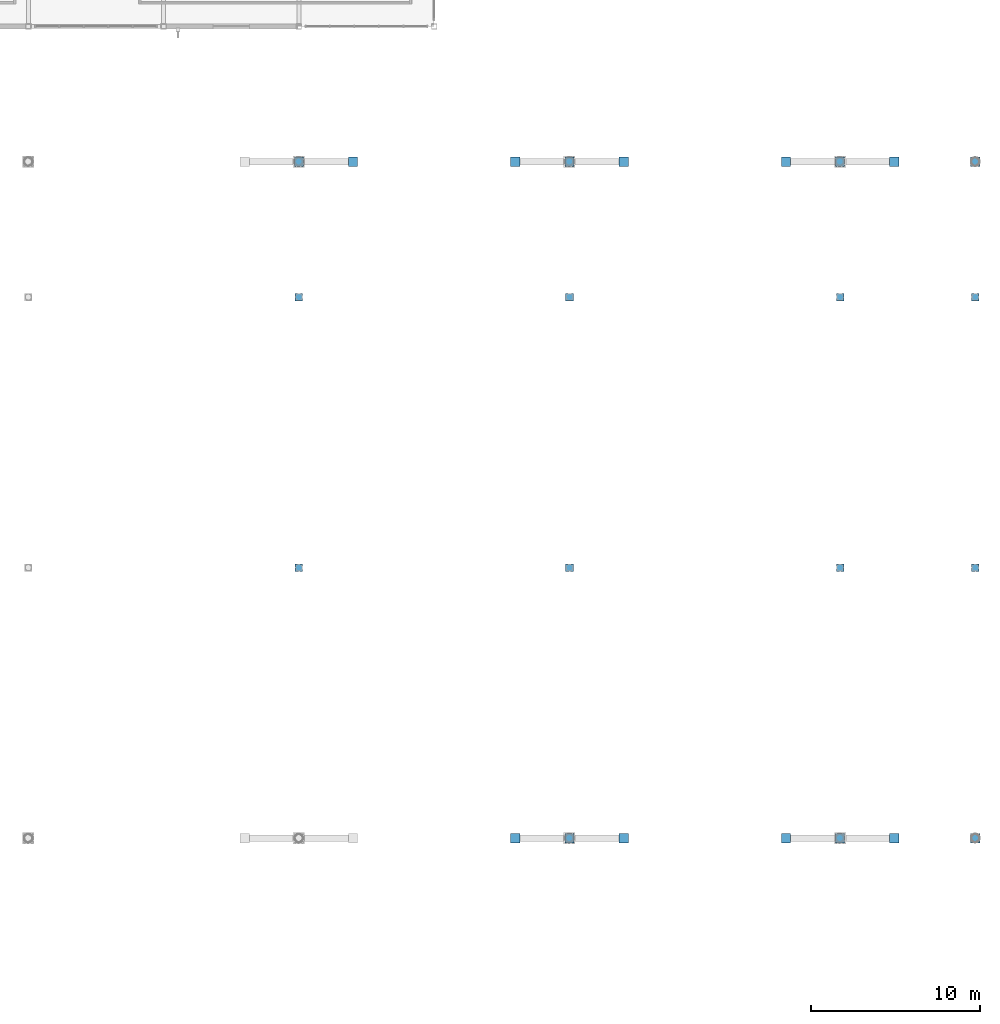
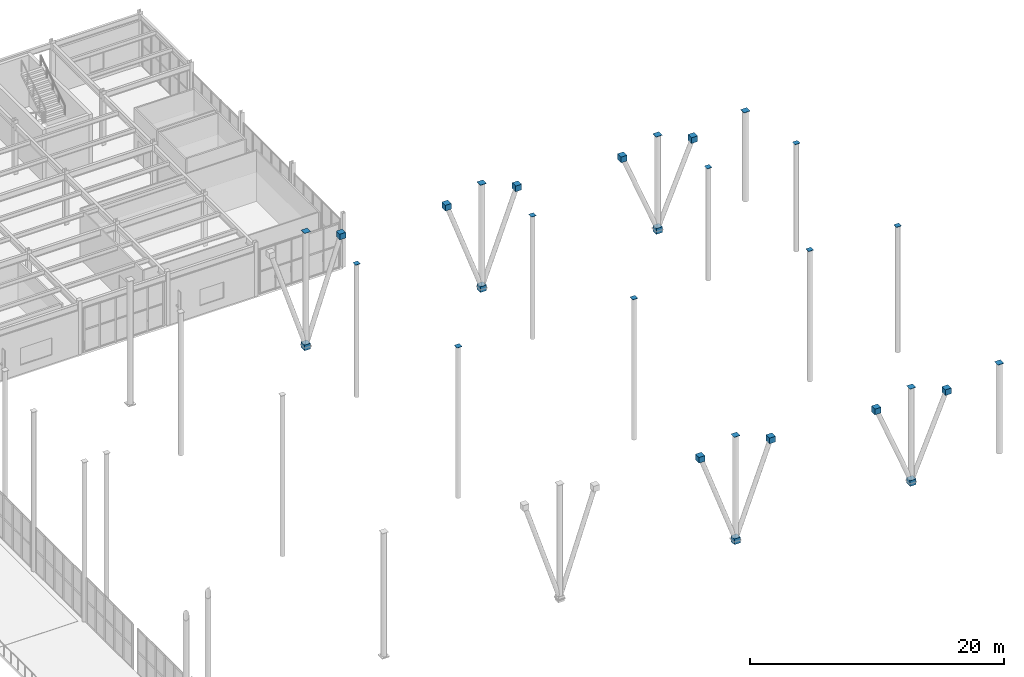
# One storey, part 66 of 77: 29 discrete accessories.
"""IFC4 building model written with IfcOpenShell, lengths in metres."""

from ifc_helpers import new_model, si_unit, direction, frame, origin, origin_2d, place, context, subcontext, project, spatial, rectangle, extrude, material, type_object, element, save


model = new_model("IFC4")

# Units and contexts
model_context = context("Model", 3, precision=1e-05, world=origin(), true_north=direction((0.0, 1.0)))
body_context = subcontext(model_context, "Body", "Model", "MODEL_VIEW")
ifc_project = project(units=[si_unit("LENGTHUNIT", "METRE"), si_unit("AREAUNIT", "SQUARE_METRE"), si_unit("VOLUMEUNIT", "CUBIC_METRE"), si_unit("PLANEANGLEUNIT", "RADIAN"), si_unit("MASSUNIT", "GRAM", prefix="KILO")], contexts=[model_context])

# Site, building, storey
site_placement = place(None, origin())
site = spatial("IfcSite", under=ifc_project, at=site_placement, CompositionType="ELEMENT")
building_placement = place(site_placement, origin())
building = spatial("IfcBuilding", under=site, at=building_placement, Name="Drelvath Fold Interchange", CompositionType="ELEMENT")
storey_placement = place(building_placement, frame((0.0, 0.0, 6.0)))
storey = spatial("IfcBuildingStorey", under=building, at=storey_placement, Name="L01", CompositionType="ELEMENT", Elevation=6.0)

# Discrete accessories
ifc_material = material(Name="Steel ASTM A572 Grade 50", Category="steel")
discrete_accessory_type = type_object("IfcDiscreteAccessoryType", Name="AC-CAP380", PredefinedType="BRACKET", material=ifc_material)
for number, where, z_axis, x_axis, name in (
    (1, (134.0, 43.0, 14.52490234375), (0.0, 0.0, 1.0), (1.0, 0.0, 0.0), "Welded hollow column end cap 105"),
    (2, (134.0, 59.0, 12.78076171875), (0.0, 0.0, 1.0), (1.0, 0.0, 0.0), "Welded hollow column end cap 106"),
):
    element("IfcDiscreteAccessory", number, at=place(storey_placement, frame(where, z_axis=z_axis, x_axis=x_axis)), inside=storey, type_object=discrete_accessory_type, Name=name, PredefinedType="BRACKET", context=body_context, shape_type="SweptSolid", body=[
        extrude(rectangle(XDim=0.446044921875, YDim=0.446044921875, at=origin_2d()), origin(), (0.0, 0.0, 1.0), 0.030029296875),
    ])
for number, where, z_axis, x_axis, name in (
    (3, (134.0, 67.0, 11.037109375), (0.0, 0.0, 1.0), (1.0, 0.0, 0.0), "Welded hollow column end cap 107"),
    (4, (150.0, 27.0, 10.07421875), (0.0, 0.0, 1.0), (1.0, 0.0, 0.0), "Welded hollow column end cap 108"),
):
    element("IfcDiscreteAccessory", number, at=place(storey_placement, frame(where, z_axis=z_axis, x_axis=x_axis)), inside=storey, type_object=discrete_accessory_type, Name=name, PredefinedType="BRACKET", context=body_context, shape_type="SweptSolid", body=[
        extrude(rectangle(XDim=0.548095703125, YDim=0.548095703125, at=origin_2d()), origin(), (0.0, 0.0, 1.0), 0.030029296875),
    ])
for number, where, z_axis, x_axis, name in (
    (5, (150.0, 43.0, 13.56201171875), (0.0, 0.0, 1.0), (1.0, 0.0, 0.0), "Welded hollow column end cap 109"),
    (6, (150.0, 59.0, 11.81787109375), (0.0, 0.0, 1.0), (1.0, 0.0, 0.0), "Welded hollow column end cap 110"),
):
    element("IfcDiscreteAccessory", number, at=place(storey_placement, frame(where, z_axis=z_axis, x_axis=x_axis)), inside=storey, type_object=discrete_accessory_type, Name=name, PredefinedType="BRACKET", context=body_context, shape_type="SweptSolid", body=[
        extrude(rectangle(XDim=0.446044921875, YDim=0.446044921875, at=origin_2d()), origin(), (0.0, 0.0, 1.0), 0.030029296875),
    ])
for number, where, z_axis, x_axis, name in (
    (7, (150.0, 67.0, 10.07421875), (0.0, 0.0, 1.0), (1.0, 0.0, 0.0), "Welded hollow column end cap 111"),
    (8, (166.0, 27.0, 9.11181640625), (0.0, 0.0, 1.0), (1.0, 0.0, 0.0), "Welded hollow column end cap 112"),
):
    element("IfcDiscreteAccessory", number, at=place(storey_placement, frame(where, z_axis=z_axis, x_axis=x_axis)), inside=storey, type_object=discrete_accessory_type, Name=name, PredefinedType="BRACKET", context=body_context, shape_type="SweptSolid", body=[
        extrude(rectangle(XDim=0.548095703125, YDim=0.548095703125, at=origin_2d()), origin(), (0.0, 0.0, 1.0), 0.030029296875),
    ])
for number, where, z_axis, x_axis, name in (
    (9, (166.0, 43.0, 12.60009765625), (0.0, 0.0, 1.0), (1.0, 0.0, 0.0), "Welded hollow column end cap 113"),
    (10, (166.0, 59.0, 10.85595703125), (0.0, 0.0, 1.0), (1.0, 0.0, 0.0), "Welded hollow column end cap 114"),
):
    element("IfcDiscreteAccessory", number, at=place(storey_placement, frame(where, z_axis=z_axis, x_axis=x_axis)), inside=storey, type_object=discrete_accessory_type, Name=name, PredefinedType="BRACKET", context=body_context, shape_type="SweptSolid", body=[
        extrude(rectangle(XDim=0.446044921875, YDim=0.446044921875, at=origin_2d()), origin(), (0.0, 0.0, 1.0), 0.030029296875),
    ])
for number, where, z_axis, x_axis, name in (
    (11, (166.0, 67.0, 9.11181640625), (0.0, 0.0, 1.0), (1.0, 0.0, 0.0), "Welded hollow column end cap 115"),
    (12, (174.0, 27.0, 8.630859375), (0.0, 0.0, 1.0), (1.0, 0.0, 0.0), "Welded hollow column end cap 116"),
):
    element("IfcDiscreteAccessory", number, at=place(storey_placement, frame(where, z_axis=z_axis, x_axis=x_axis)), inside=storey, type_object=discrete_accessory_type, Name=name, PredefinedType="BRACKET", context=body_context, shape_type="SweptSolid", body=[
        extrude(rectangle(XDim=0.548095703125, YDim=0.548095703125, at=origin_2d()), origin(), (0.0, 0.0, 1.0), 0.030029296875),
    ])
for number, where, z_axis, x_axis, name in (
    (13, (174.0, 43.0, 12.119140625), (0.0, 0.0, 1.0), (1.0, 0.0, 0.0), "Welded hollow column end cap 117"),
    (14, (174.0, 59.0, 10.375), (0.0, 0.0, 1.0), (1.0, 0.0, 0.0), "Welded hollow column end cap 118"),
):
    element("IfcDiscreteAccessory", number, at=place(storey_placement, frame(where, z_axis=z_axis, x_axis=x_axis)), inside=storey, type_object=discrete_accessory_type, Name=name, PredefinedType="BRACKET", context=body_context, shape_type="SweptSolid", body=[
        extrude(rectangle(XDim=0.446044921875, YDim=0.446044921875, at=origin_2d()), origin(), (0.0, 0.0, 1.0), 0.030029296875),
    ])
discrete_accessory_placement = place(storey_placement, frame((174.0, 67.0, 8.630859375), z_axis=(0.0, 0.0, 1.0), x_axis=(1.0, 0.0, 0.0)))
element("IfcDiscreteAccessory", 15, at=discrete_accessory_placement, inside=storey, type_object=discrete_accessory_type, Name="Welded hollow column end cap 119", PredefinedType="BRACKET", context=body_context, shape_type="SweptSolid", body=[
    extrude(rectangle(XDim=0.548095703125, YDim=0.548095703125, at=origin_2d()), origin(), (0.0, 0.0, 1.0), 0.030029296875),
])
for number, where, z_axis, x_axis, name in (
    (16, (134.001953125, 67.0, -0.22802734375), (0.0, 0.0, 1.0), (1.0, 0.0, 0.0), "Welded hollow member end cap 569"),
    (17, (137.201904296875, 67.0, 9.31396484375), (0.0, 0.0, 1.0), (1.0, 0.0, 0.0), "Welded hollow member end cap 571"),
    (18, (150.001953125, 27.0, -0.22802734375), (0.0, 0.0, 1.0), (1.0, 0.0, 0.0), "Welded hollow member end cap 572"),
    (19, (146.798095703125, 27.0, 8.737060546875), (0.0, 0.0, 1.0), (1.0, 0.0, 0.0), "Welded hollow member end cap 573"),
    (20, (153.201904296875, 27.0, 8.35205078125), (0.0, 0.0, 1.0), (1.0, 0.0, 0.0), "Welded hollow member end cap 574"),
    (21, (150.001953125, 67.0, -0.22802734375), (0.0, 0.0, 1.0), (1.0, 0.0, 0.0), "Welded hollow member end cap 575"),
    (22, (146.798095703125, 67.0, 8.737060546875), (0.0, 0.0, 1.0), (1.0, 0.0, 0.0), "Welded hollow member end cap 576"),
    (23, (153.201904296875, 67.0, 8.35205078125), (0.0, 0.0, 1.0), (1.0, 0.0, 0.0), "Welded hollow member end cap 577"),
    (24, (166.001953125, 27.0, -0.22802734375), (0.0, 0.0, 1.0), (1.0, 0.0, 0.0), "Welded hollow member end cap 578"),
    (25, (162.798095703125, 27.0, 7.774169921875), (0.0, 0.0, 1.0), (1.0, 0.0, 0.0), "Welded hollow member end cap 579"),
    (26, (169.201904296875, 27.0, 7.39013671875), (0.0, 0.0, 1.0), (1.0, 0.0, 0.0), "Welded hollow member end cap 580"),
    (27, (166.001953125, 67.0, -0.22802734375), (0.0, 0.0, 1.0), (1.0, 0.0, 0.0), "Welded hollow member end cap 581"),
    (28, (162.798095703125, 67.0, 7.774169921875), (0.0, 0.0, 1.0), (1.0, 0.0, 0.0), "Welded hollow member end cap 582"),
    (29, (169.201904296875, 67.0, 7.39013671875), (0.0, 0.0, 1.0), (1.0, 0.0, 0.0), "Welded hollow member end cap 583"),
):
    element("IfcDiscreteAccessory", number, at=place(storey_placement, frame(where, z_axis=z_axis, x_axis=x_axis)), inside=storey, type_object=discrete_accessory_type, Name=name, PredefinedType="BRACKET", context=body_context, shape_type="SweptSolid", body=[
        extrude(rectangle(XDim=0.5458984375, YDim=0.5458984375, at=origin_2d()), origin(), (0.0, 0.0, 1.0), 0.5458984375),
    ])

save(model, "model.ifc")
